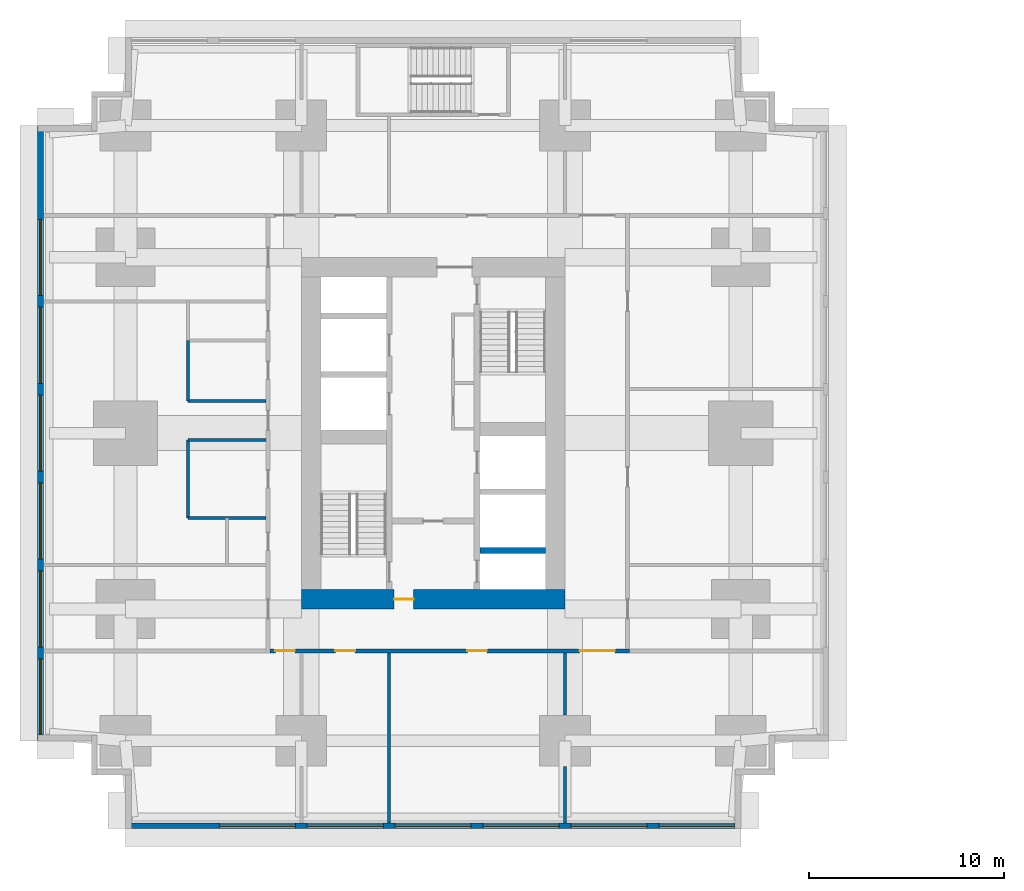
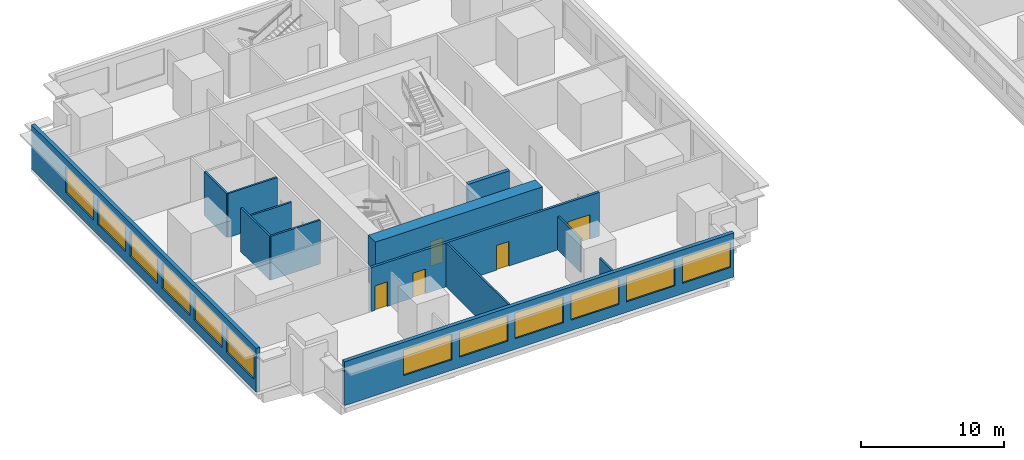
# One storey, part 3 of 12: 13 walls, 12 windows, 5 doors, 17 openings.
"""IFC4 building model written with IfcOpenShell, lengths in metres."""

from ifc_helpers import new_model, si_unit, direction, frame, frame_2d, origin, place, context, subcontext, project, spatial, rectangle, extrude, material, layer, layer_set, type_object, element, fill, save


model = new_model("IFC4")

# Units and contexts
model_context = context("Model", 3, precision=1e-05, world=origin(), true_north=direction((0.0, 1.0)))
body_context = subcontext(model_context, "Body", "Model", "MODEL_VIEW")
ifc_project = project(units=[si_unit("LENGTHUNIT", "METRE"), si_unit("AREAUNIT", "SQUARE_METRE"), si_unit("VOLUMEUNIT", "CUBIC_METRE"), si_unit("PLANEANGLEUNIT", "RADIAN"), si_unit("MASSUNIT", "GRAM", prefix="KILO")], contexts=[model_context])

# Site, building, storey
site_placement = place(None, origin())
site = spatial("IfcSite", under=ifc_project, at=site_placement, CompositionType="ELEMENT")
building_placement = place(site_placement, origin())
building = spatial("IfcBuilding", under=site, at=building_placement, Name="Namib Vertical Campus", CompositionType="ELEMENT")
storey_placement = place(building_placement, frame((0.0, 0.0, 45.0)))
storey = spatial("IfcBuildingStorey", under=building, at=storey_placement, Name="L10", CompositionType="ELEMENT", Elevation=45.0)

# Wall
ifc_material_1 = material(Name="Concrete C60/75", Category="concrete")
ifc_layer_1 = layer(ifc_material_1, 0.300048828125)
ifc_layer_set_1 = layer_set([ifc_layer_1], Name="Concrete C60/75")
wall_type_1 = type_object("IfcWallType", Name="Core inner wall 300", PredefinedType="SHEAR", material=ifc_layer_set_1)
wall_1_placement = place(storey_placement, frame((22.64990234375, 14.25, 0.0), z_axis=(0.0, 0.0, 1.0), x_axis=(1.0, 0.0, 0.0)))
element("IfcWall", 1, at=wall_1_placement, inside=storey, type_object=wall_type_1, Name="Core inner wall A L10 W5", PredefinedType="SHEAR", context=body_context, shape_type="SweptSolid", body=[
    extrude(rectangle(XDim=3.35009765625, YDim=0.300048828125, at=frame_2d((1.675048828125, 0.0))), origin(), (0.0, 0.0, 1.0), 4.0),
])

# Wall, opening, door
ifc_material_2 = material(Name="Concrete C60/75", Category="concrete")
ifc_layer_2 = layer(ifc_material_2, 1.0)
ifc_layer_set_2 = layer_set([ifc_layer_2], Name="Concrete C60/75")
wall_type_2 = type_object("IfcWallType", Name="Core wall 1000", PredefinedType="SHEAR", material=ifc_layer_set_2)
wall_2_placement = place(storey_placement, frame((13.5, 11.75, 0.0), z_axis=(0.0, 0.0, 1.0), x_axis=(1.0, 0.0, 0.0)))
wall_2 = element("IfcWall", 2, at=wall_2_placement, inside=storey, type_object=wall_type_2, Name="Core wall A L10 1", PredefinedType="SHEAR", context=body_context, shape_type="SweptSolid", body=[
    extrude(rectangle(XDim=13.5, YDim=1.0, at=frame_2d((6.75, 0.0))), origin(), (0.0, 0.0, 1.0), 4.0),
])
opening_1_placement = place(wall_2_placement, frame((4.75, 0.0, 0.0)))
opening_1 = element("IfcOpeningElement", 3, at=opening_1_placement, cuts=wall_2, Name="Opening FD5", PredefinedType="OPENING", context=body_context, shape_type="SweptSolid", body=[
    extrude(rectangle(XDim=1.0, YDim=2.10009765625, at=frame_2d((0.5, 1.050048828125))), frame((0.0, 0.510009765625, 0.0), z_axis=(0.0, -1.0, 0.0), x_axis=(1.0, 0.0, 0.0)), (0.0, 0.0, 1.0), 1.02001953125),
])
ifc_material_3 = material(Name="Steel fire door", Category="steel")
door_type_1 = type_object("IfcDoorType", Name="Fire door 1000x2100 120 min", OperationType="SINGLE_SWING_RIGHT", PredefinedType="DOOR", material=ifc_material_3)
door_1_placement = place(opening_1_placement, origin())
door_1 = element("IfcDoor", 4, at=door_1_placement, inside=storey, type_object=door_type_1, Name="Firefighting lobby door FD5 A L10", OperationType="SINGLE_SWING_LEFT", OverallHeight=2.10009765625, OverallWidth=1.0, PredefinedType="DOOR", context=body_context, shape_type="SweptSolid", body=[
    extrude(rectangle(XDim=1.0, YDim=2.10009765625, at=frame_2d((0.5, 1.050048828125))), frame((0.0, 0.02490234375, 0.0), z_axis=(0.0, -1.0, 0.0), x_axis=(1.0, 0.0, 0.0)), (0.0, 0.0, 1.0), 0.050048828125),
])
fill(opening_1, door_1)

# Wall, openings, doors
ifc_material_4 = material(Name="Concrete masonry", Category="masonry")
ifc_layer_3 = layer(ifc_material_4, 0.199951171875)
ifc_layer_set_3 = layer_set([ifc_layer_3], Name="Corridor wall 200")
wall_type_3 = type_object("IfcWallType", Name="Corridor wall 200", PredefinedType="SOLIDWALL", material=ifc_layer_set_3)
wall_3_placement = place(storey_placement, frame((11.89990234375, 9.10009765625, 0.0), z_axis=(0.0, 0.0, 1.0), x_axis=(1.0, 0.0, 0.0)))
wall_3 = element("IfcWall", 5, at=wall_3_placement, inside=storey, type_object=wall_type_3, Name="Corridor wall A L10 CS", PredefinedType="SOLIDWALL", context=body_context, shape_type="SweptSolid", body=[
    extrude(rectangle(XDim=18.400146484375, YDim=0.199951171875, at=frame_2d((9.2001953125, 0.0))), origin(), (0.0, 0.0, 1.0), 3.75),
])
opening_2_placement = place(wall_3_placement, frame((0.27490234375, 0.0, 0.0)))
opening_2 = element("IfcOpeningElement", 6, at=opening_2_placement, cuts=wall_3, Name="Opening CD1", PredefinedType="OPENING", context=body_context, shape_type="SweptSolid", body=[
    extrude(rectangle(XDim=1.0, YDim=2.10009765625, at=frame_2d((0.5, 1.050048828125))), frame((0.0, 0.10986328125, 0.0), z_axis=(0.0, -1.0, 0.0), x_axis=(1.0, 0.0, 0.0)), (0.0, 0.0, 1.0), 0.219970703125),
])
opening_3_placement = place(wall_3_placement, frame((3.35009765625, 0.0, 0.0)))
opening_3 = element("IfcOpeningElement", 7, at=opening_3_placement, cuts=wall_3, Name="Opening CD1", PredefinedType="OPENING", context=body_context, shape_type="SweptSolid", body=[
    extrude(rectangle(XDim=1.0, YDim=2.10009765625, at=frame_2d((0.5, 1.050048828125))), frame((0.0, 0.10986328125, 0.0), z_axis=(0.0, -1.0, 0.0), x_axis=(1.0, 0.0, 0.0)), (0.0, 0.0, 1.0), 0.219970703125),
])
opening_4_placement = place(wall_3_placement, frame((10.10009765625, 0.0, 0.0)))
opening_4 = element("IfcOpeningElement", 8, at=opening_4_placement, cuts=wall_3, Name="Opening CD1", PredefinedType="OPENING", context=body_context, shape_type="SweptSolid", body=[
    extrude(rectangle(XDim=1.0, YDim=2.10009765625, at=frame_2d((0.5, 1.050048828125))), frame((0.0, 0.10986328125, 0.0), z_axis=(0.0, -1.0, 0.0), x_axis=(1.0, 0.0, 0.0)), (0.0, 0.0, 1.0), 0.219970703125),
])
opening_5_placement = place(wall_3_placement, frame((15.85009765625, 0.0, 0.0)))
opening_5 = element("IfcOpeningElement", 9, at=opening_5_placement, cuts=wall_3, Name="Opening CD2", PredefinedType="OPENING", context=body_context, shape_type="SweptSolid", body=[
    extrude(rectangle(XDim=1.800048828125, YDim=2.10009765625, at=frame_2d((0.89990234375, 1.050048828125))), frame((0.0, 0.10986328125, 0.0), z_axis=(0.0, -1.0, 0.0), x_axis=(1.0, 0.0, 0.0)), (0.0, 0.0, 1.0), 0.219970703125),
])
ifc_material_5 = material(Name="Timber fire door leaf", Category="wood")
door_type_2 = type_object("IfcDoorType", Name="Corridor door 1000x2100 20 min", OperationType="SINGLE_SWING_LEFT", PredefinedType="DOOR", material=ifc_material_5)
door_2_placement = place(opening_2_placement, frame((1.0, 0.0, 0.0), z_axis=(0.0, 0.0, 1.0), x_axis=(-1.0, 0.0, 0.0)))
door_2 = element("IfcDoor", 10, at=door_2_placement, inside=storey, type_object=door_type_2, Name="Door CD1 A10-01", OperationType="SINGLE_SWING_LEFT", OverallHeight=2.10009765625, OverallWidth=1.0, PredefinedType="DOOR", context=body_context, shape_type="SweptSolid", body=[
    extrude(rectangle(XDim=1.0, YDim=2.10009765625, at=frame_2d((0.5, 1.050048828125))), frame((0.0, 0.02490234375, 0.0), z_axis=(0.0, -1.0, 0.0), x_axis=(1.0, 0.0, 0.0)), (0.0, 0.0, 1.0), 0.050048828125),
])
fill(opening_2, door_2)
door_3_placement = place(opening_3_placement, frame((1.0, 0.0, 0.0), z_axis=(0.0, 0.0, 1.0), x_axis=(-1.0, 0.0, 0.0)))
door_3 = element("IfcDoor", 11, at=door_3_placement, inside=storey, type_object=door_type_2, Name="Door CD1 A10-02", OperationType="SINGLE_SWING_RIGHT", OverallHeight=2.10009765625, OverallWidth=1.0, PredefinedType="DOOR", context=body_context, shape_type="SweptSolid", body=[
    extrude(rectangle(XDim=1.0, YDim=2.10009765625, at=frame_2d((0.5, 1.050048828125))), frame((0.0, 0.02490234375, 0.0), z_axis=(0.0, -1.0, 0.0), x_axis=(1.0, 0.0, 0.0)), (0.0, 0.0, 1.0), 0.050048828125),
])
fill(opening_3, door_3)
door_4_placement = place(opening_4_placement, frame((1.0, 0.0, 0.0), z_axis=(0.0, 0.0, 1.0), x_axis=(-1.0, 0.0, 0.0)))
door_4 = element("IfcDoor", 12, at=door_4_placement, inside=storey, type_object=door_type_2, Name="Door CD1 A10-03", OperationType="SINGLE_SWING_RIGHT", OverallHeight=2.10009765625, OverallWidth=1.0, PredefinedType="DOOR", context=body_context, shape_type="SweptSolid", body=[
    extrude(rectangle(XDim=1.0, YDim=2.10009765625, at=frame_2d((0.5, 1.050048828125))), frame((0.0, 0.02490234375, 0.0), z_axis=(0.0, -1.0, 0.0), x_axis=(1.0, 0.0, 0.0)), (0.0, 0.0, 1.0), 0.050048828125),
])
fill(opening_4, door_4)
ifc_material_6 = material(Name="Timber fire door leaf", Category="wood")
door_type_3 = type_object("IfcDoorType", Name="Corridor door double 1800x2100 20 min", OperationType="DOUBLE_DOOR_SINGLE_SWING", PredefinedType="DOOR", material=ifc_material_6)
door_5_placement = place(opening_5_placement, frame((1.800048828125, 0.0, 0.0), z_axis=(0.0, 0.0, 1.0), x_axis=(-1.0, 0.0, 0.0)))
door_5 = element("IfcDoor", 13, at=door_5_placement, inside=storey, type_object=door_type_3, Name="Door CD2 A10-04", OperationType="DOUBLE_DOOR_SINGLE_SWING", OverallHeight=2.10009765625, OverallWidth=1.800048828125, PredefinedType="DOOR", context=body_context, shape_type="SweptSolid", body=[
    extrude(rectangle(XDim=1.800048828125, YDim=2.10009765625, at=frame_2d((0.89990234375, 1.050048828125))), frame((0.0, 0.02490234375, 0.0), z_axis=(0.0, -1.0, 0.0), x_axis=(1.0, 0.0, 0.0)), (0.0, 0.0, 1.0), 0.050048828125),
])
fill(opening_5, door_5)

# Wall, openings, windows
ifc_material_7 = material(Name="Concrete C40/50", Category="concrete")
ifc_layer_4 = layer(ifc_material_7, 0.300048828125)
ifc_layer_set_4 = layer_set([ifc_layer_4], Name="Concrete C40/50")
wall_type_4 = type_object("IfcWallType", Name="External wall 300 board-marked concrete", PredefinedType="STANDARD", material=ifc_layer_set_4)
wall_4_placement = place(storey_placement, frame((4.52001953125, 0.14990234375, 0.0), z_axis=(0.0, 0.0, 1.0), x_axis=(1.0, 0.0, 0.0)))
wall_4 = element("IfcWall", 14, at=wall_4_placement, inside=storey, type_object=wall_type_4, Name="External wall L10 F01", PredefinedType="STANDARD", context=body_context, shape_type="SweptSolid", body=[
    extrude(rectangle(XDim=31.4599609375, YDim=0.300048828125, at=frame_2d((15.72998046875, 0.0))), origin(), (0.0, 0.0, 1.0), 3.75),
])
opening_6_placement = place(wall_4_placement, frame((4.780029296875, 0.0, 0.89990234375)))
opening_6 = element("IfcOpeningElement", 15, at=opening_6_placement, cuts=wall_4, Name="Opening W1", PredefinedType="OPENING", context=body_context, shape_type="SweptSolid", body=[
    extrude(rectangle(XDim=3.89990234375, YDim=2.199951171875, at=frame_2d((1.949951171875, 1.10009765625))), frame((0.0, 0.159912109375, 0.0), z_axis=(0.0, -1.0, 0.0), x_axis=(1.0, 0.0, 0.0)), (0.0, 0.0, 1.0), 0.320068359375),
])
opening_7_placement = place(wall_4_placement, frame((9.280029296875, 0.0, 0.89990234375)))
opening_7 = element("IfcOpeningElement", 16, at=opening_7_placement, cuts=wall_4, Name="Opening W1", PredefinedType="OPENING", context=body_context, shape_type="SweptSolid", body=[
    extrude(rectangle(XDim=3.89990234375, YDim=2.199951171875, at=frame_2d((1.949951171875, 1.10009765625))), frame((0.0, 0.159912109375, 0.0), z_axis=(0.0, -1.0, 0.0), x_axis=(1.0, 0.0, 0.0)), (0.0, 0.0, 1.0), 0.320068359375),
])
opening_8_placement = place(wall_4_placement, frame((13.780029296875, 0.0, 0.89990234375)))
opening_8 = element("IfcOpeningElement", 17, at=opening_8_placement, cuts=wall_4, Name="Opening W1", PredefinedType="OPENING", context=body_context, shape_type="SweptSolid", body=[
    extrude(rectangle(XDim=3.89990234375, YDim=2.199951171875, at=frame_2d((1.949951171875, 1.10009765625))), frame((0.0, 0.159912109375, 0.0), z_axis=(0.0, -1.0, 0.0), x_axis=(1.0, 0.0, 0.0)), (0.0, 0.0, 1.0), 0.320068359375),
])
opening_9_placement = place(wall_4_placement, frame((18.280029296875, 0.0, 0.89990234375)))
opening_9 = element("IfcOpeningElement", 18, at=opening_9_placement, cuts=wall_4, Name="Opening W1", PredefinedType="OPENING", context=body_context, shape_type="SweptSolid", body=[
    extrude(rectangle(XDim=3.89990234375, YDim=2.199951171875, at=frame_2d((1.949951171875, 1.10009765625))), frame((0.0, 0.159912109375, 0.0), z_axis=(0.0, -1.0, 0.0), x_axis=(1.0, 0.0, 0.0)), (0.0, 0.0, 1.0), 0.320068359375),
])
opening_10_placement = place(wall_4_placement, frame((22.780029296875, 0.0, 0.89990234375)))
opening_10 = element("IfcOpeningElement", 19, at=opening_10_placement, cuts=wall_4, Name="Opening W1", PredefinedType="OPENING", context=body_context, shape_type="SweptSolid", body=[
    extrude(rectangle(XDim=3.89990234375, YDim=2.199951171875, at=frame_2d((1.949951171875, 1.10009765625))), frame((0.0, 0.159912109375, 0.0), z_axis=(0.0, -1.0, 0.0), x_axis=(1.0, 0.0, 0.0)), (0.0, 0.0, 1.0), 0.320068359375),
])
opening_11_placement = place(wall_4_placement, frame((27.280029296875, 0.0, 0.89990234375)))
opening_11 = element("IfcOpeningElement", 20, at=opening_11_placement, cuts=wall_4, Name="Opening W1", PredefinedType="OPENING", context=body_context, shape_type="SweptSolid", body=[
    extrude(rectangle(XDim=3.89990234375, YDim=2.199951171875, at=frame_2d((1.949951171875, 1.10009765625))), frame((0.0, 0.159912109375, 0.0), z_axis=(0.0, -1.0, 0.0), x_axis=(1.0, 0.0, 0.0)), (0.0, 0.0, 1.0), 0.320068359375),
])
ifc_material_8 = material(Name="Dark tinted glass in black aluminium frame", Category="aluminium")
window_type = type_object("IfcWindowType", Name="Ribbon window 3900x2200", PartitioningType="SINGLE_PANEL", PredefinedType="WINDOW", material=ifc_material_8)
window_1_placement = place(opening_6_placement, origin())
window_1 = element("IfcWindow", 21, at=window_1_placement, inside=storey, type_object=window_type, Name="Window W1 L10 F01-2", OverallHeight=2.199951171875, OverallWidth=3.89990234375, PartitioningType="SINGLE_PANEL", PredefinedType="WINDOW", context=body_context, shape_type="SweptSolid", body=[
    extrude(rectangle(XDim=3.89990234375, YDim=2.199951171875, at=frame_2d((1.949951171875, 1.10009765625))), frame((0.0, 0.030029296875, 0.0), z_axis=(0.0, -1.0, 0.0), x_axis=(1.0, 0.0, 0.0)), (0.0, 0.0, 1.0), 0.06005859375),
])
fill(opening_6, window_1)
window_2_placement = place(opening_7_placement, origin())
window_2 = element("IfcWindow", 22, at=window_2_placement, inside=storey, type_object=window_type, Name="Window W1 L10 F01-3", OverallHeight=2.199951171875, OverallWidth=3.89990234375, PartitioningType="SINGLE_PANEL", PredefinedType="WINDOW", context=body_context, shape_type="SweptSolid", body=[
    extrude(rectangle(XDim=3.89990234375, YDim=2.199951171875, at=frame_2d((1.949951171875, 1.10009765625))), frame((0.0, 0.030029296875, 0.0), z_axis=(0.0, -1.0, 0.0), x_axis=(1.0, 0.0, 0.0)), (0.0, 0.0, 1.0), 0.06005859375),
])
fill(opening_7, window_2)
window_3_placement = place(opening_8_placement, origin())
window_3 = element("IfcWindow", 23, at=window_3_placement, inside=storey, type_object=window_type, Name="Window W1 L10 F01-4", OverallHeight=2.199951171875, OverallWidth=3.89990234375, PartitioningType="SINGLE_PANEL", PredefinedType="WINDOW", context=body_context, shape_type="SweptSolid", body=[
    extrude(rectangle(XDim=3.89990234375, YDim=2.199951171875, at=frame_2d((1.949951171875, 1.10009765625))), frame((0.0, 0.030029296875, 0.0), z_axis=(0.0, -1.0, 0.0), x_axis=(1.0, 0.0, 0.0)), (0.0, 0.0, 1.0), 0.06005859375),
])
fill(opening_8, window_3)
window_4_placement = place(opening_9_placement, origin())
window_4 = element("IfcWindow", 24, at=window_4_placement, inside=storey, type_object=window_type, Name="Window W1 L10 F01-5", OverallHeight=2.199951171875, OverallWidth=3.89990234375, PartitioningType="SINGLE_PANEL", PredefinedType="WINDOW", context=body_context, shape_type="SweptSolid", body=[
    extrude(rectangle(XDim=3.89990234375, YDim=2.199951171875, at=frame_2d((1.949951171875, 1.10009765625))), frame((0.0, 0.030029296875, 0.0), z_axis=(0.0, -1.0, 0.0), x_axis=(1.0, 0.0, 0.0)), (0.0, 0.0, 1.0), 0.06005859375),
])
fill(opening_9, window_4)
window_5_placement = place(opening_10_placement, origin())
window_5 = element("IfcWindow", 25, at=window_5_placement, inside=storey, type_object=window_type, Name="Window W1 L10 F01-6", OverallHeight=2.199951171875, OverallWidth=3.89990234375, PartitioningType="SINGLE_PANEL", PredefinedType="WINDOW", context=body_context, shape_type="SweptSolid", body=[
    extrude(rectangle(XDim=3.89990234375, YDim=2.199951171875, at=frame_2d((1.949951171875, 1.10009765625))), frame((0.0, 0.030029296875, 0.0), z_axis=(0.0, -1.0, 0.0), x_axis=(1.0, 0.0, 0.0)), (0.0, 0.0, 1.0), 0.06005859375),
])
fill(opening_10, window_5)
window_6_placement = place(opening_11_placement, origin())
window_6 = element("IfcWindow", 26, at=window_6_placement, inside=storey, type_object=window_type, Name="Window W1 L10 F01-7", OverallHeight=2.199951171875, OverallWidth=3.89990234375, PartitioningType="SINGLE_PANEL", PredefinedType="WINDOW", context=body_context, shape_type="SweptSolid", body=[
    extrude(rectangle(XDim=3.89990234375, YDim=2.199951171875, at=frame_2d((1.949951171875, 1.10009765625))), frame((0.0, 0.030029296875, 0.0), z_axis=(0.0, -1.0, 0.0), x_axis=(1.0, 0.0, 0.0)), (0.0, 0.0, 1.0), 0.06005859375),
])
fill(opening_11, window_6)

wall_5_placement = place(storey_placement, frame((0.14990234375, 35.97998046875, 0.0), z_axis=(0.0, 0.0, 1.0), x_axis=(0.0, -1.0, 0.0)))
wall_5 = element("IfcWall", 27, at=wall_5_placement, inside=storey, type_object=wall_type_4, Name="External wall L10 F16", PredefinedType="STANDARD", context=body_context, shape_type="SweptSolid", body=[
    extrude(rectangle(XDim=31.4599609375, YDim=0.300048828125, at=frame_2d((15.72998046875, 0.0))), origin(), (0.0, 0.0, 1.0), 3.75),
])
opening_12_placement = place(wall_5_placement, frame((27.280029296875, 0.0, 0.89990234375)))
opening_12 = element("IfcOpeningElement", 28, at=opening_12_placement, cuts=wall_5, Name="Opening W1", PredefinedType="OPENING", context=body_context, shape_type="SweptSolid", body=[
    extrude(rectangle(XDim=3.89990234375, YDim=2.199951171875, at=frame_2d((1.949951171875, 1.10009765625))), frame((0.0, 0.159912109375, 0.0), z_axis=(0.0, -1.0, 0.0), x_axis=(1.0, 0.0, 0.0)), (0.0, 0.0, 1.0), 0.320068359375),
])
opening_13_placement = place(wall_5_placement, frame((22.780029296875, 0.0, 0.89990234375)))
opening_13 = element("IfcOpeningElement", 29, at=opening_13_placement, cuts=wall_5, Name="Opening W1", PredefinedType="OPENING", context=body_context, shape_type="SweptSolid", body=[
    extrude(rectangle(XDim=3.89990234375, YDim=2.199951171875, at=frame_2d((1.949951171875, 1.10009765625))), frame((0.0, 0.159912109375, 0.0), z_axis=(0.0, -1.0, 0.0), x_axis=(1.0, 0.0, 0.0)), (0.0, 0.0, 1.0), 0.320068359375),
])
opening_14_placement = place(wall_5_placement, frame((18.280029296875, 0.0, 0.89990234375)))
opening_14 = element("IfcOpeningElement", 30, at=opening_14_placement, cuts=wall_5, Name="Opening W1", PredefinedType="OPENING", context=body_context, shape_type="SweptSolid", body=[
    extrude(rectangle(XDim=3.89990234375, YDim=2.199951171875, at=frame_2d((1.949951171875, 1.10009765625))), frame((0.0, 0.159912109375, 0.0), z_axis=(0.0, -1.0, 0.0), x_axis=(1.0, 0.0, 0.0)), (0.0, 0.0, 1.0), 0.320068359375),
])
opening_15_placement = place(wall_5_placement, frame((13.780029296875, 0.0, 0.89990234375)))
opening_15 = element("IfcOpeningElement", 31, at=opening_15_placement, cuts=wall_5, Name="Opening W1", PredefinedType="OPENING", context=body_context, shape_type="SweptSolid", body=[
    extrude(rectangle(XDim=3.89990234375, YDim=2.199951171875, at=frame_2d((1.949951171875, 1.10009765625))), frame((0.0, 0.159912109375, 0.0), z_axis=(0.0, -1.0, 0.0), x_axis=(1.0, 0.0, 0.0)), (0.0, 0.0, 1.0), 0.320068359375),
])
opening_16_placement = place(wall_5_placement, frame((9.280029296875, 0.0, 0.89990234375)))
opening_16 = element("IfcOpeningElement", 32, at=opening_16_placement, cuts=wall_5, Name="Opening W1", PredefinedType="OPENING", context=body_context, shape_type="SweptSolid", body=[
    extrude(rectangle(XDim=3.89990234375, YDim=2.199951171875, at=frame_2d((1.949951171875, 1.10009765625))), frame((0.0, 0.159912109375, 0.0), z_axis=(0.0, -1.0, 0.0), x_axis=(1.0, 0.0, 0.0)), (0.0, 0.0, 1.0), 0.320068359375),
])
opening_17_placement = place(wall_5_placement, frame((4.780029296875, 0.0, 0.89990234375)))
opening_17 = element("IfcOpeningElement", 33, at=opening_17_placement, cuts=wall_5, Name="Opening W1", PredefinedType="OPENING", context=body_context, shape_type="SweptSolid", body=[
    extrude(rectangle(XDim=3.89990234375, YDim=2.199951171875, at=frame_2d((1.949951171875, 1.10009765625))), frame((0.0, 0.159912109375, 0.0), z_axis=(0.0, -1.0, 0.0), x_axis=(1.0, 0.0, 0.0)), (0.0, 0.0, 1.0), 0.320068359375),
])
window_7_placement = place(opening_12_placement, origin())
window_7 = element("IfcWindow", 34, at=window_7_placement, inside=storey, type_object=window_type, Name="Window W1 L10 F16-1", OverallHeight=2.199951171875, OverallWidth=3.89990234375, PartitioningType="SINGLE_PANEL", PredefinedType="WINDOW", context=body_context, shape_type="SweptSolid", body=[
    extrude(rectangle(XDim=3.89990234375, YDim=2.199951171875, at=frame_2d((1.949951171875, 1.10009765625))), frame((0.0, 0.030029296875, 0.0), z_axis=(0.0, -1.0, 0.0), x_axis=(1.0, 0.0, 0.0)), (0.0, 0.0, 1.0), 0.06005859375),
])
fill(opening_12, window_7)
window_8_placement = place(opening_13_placement, origin())
window_8 = element("IfcWindow", 35, at=window_8_placement, inside=storey, type_object=window_type, Name="Window W1 L10 F16-2", OverallHeight=2.199951171875, OverallWidth=3.89990234375, PartitioningType="SINGLE_PANEL", PredefinedType="WINDOW", context=body_context, shape_type="SweptSolid", body=[
    extrude(rectangle(XDim=3.89990234375, YDim=2.199951171875, at=frame_2d((1.949951171875, 1.10009765625))), frame((0.0, 0.030029296875, 0.0), z_axis=(0.0, -1.0, 0.0), x_axis=(1.0, 0.0, 0.0)), (0.0, 0.0, 1.0), 0.06005859375),
])
fill(opening_13, window_8)
window_9_placement = place(opening_14_placement, origin())
window_9 = element("IfcWindow", 36, at=window_9_placement, inside=storey, type_object=window_type, Name="Window W1 L10 F16-3", OverallHeight=2.199951171875, OverallWidth=3.89990234375, PartitioningType="SINGLE_PANEL", PredefinedType="WINDOW", context=body_context, shape_type="SweptSolid", body=[
    extrude(rectangle(XDim=3.89990234375, YDim=2.199951171875, at=frame_2d((1.949951171875, 1.10009765625))), frame((0.0, 0.030029296875, 0.0), z_axis=(0.0, -1.0, 0.0), x_axis=(1.0, 0.0, 0.0)), (0.0, 0.0, 1.0), 0.06005859375),
])
fill(opening_14, window_9)
window_10_placement = place(opening_15_placement, origin())
window_10 = element("IfcWindow", 37, at=window_10_placement, inside=storey, type_object=window_type, Name="Window W1 L10 F16-4", OverallHeight=2.199951171875, OverallWidth=3.89990234375, PartitioningType="SINGLE_PANEL", PredefinedType="WINDOW", context=body_context, shape_type="SweptSolid", body=[
    extrude(rectangle(XDim=3.89990234375, YDim=2.199951171875, at=frame_2d((1.949951171875, 1.10009765625))), frame((0.0, 0.030029296875, 0.0), z_axis=(0.0, -1.0, 0.0), x_axis=(1.0, 0.0, 0.0)), (0.0, 0.0, 1.0), 0.06005859375),
])
fill(opening_15, window_10)
window_11_placement = place(opening_16_placement, origin())
window_11 = element("IfcWindow", 38, at=window_11_placement, inside=storey, type_object=window_type, Name="Window W1 L10 F16-5", OverallHeight=2.199951171875, OverallWidth=3.89990234375, PartitioningType="SINGLE_PANEL", PredefinedType="WINDOW", context=body_context, shape_type="SweptSolid", body=[
    extrude(rectangle(XDim=3.89990234375, YDim=2.199951171875, at=frame_2d((1.949951171875, 1.10009765625))), frame((0.0, 0.030029296875, 0.0), z_axis=(0.0, -1.0, 0.0), x_axis=(1.0, 0.0, 0.0)), (0.0, 0.0, 1.0), 0.06005859375),
])
fill(opening_16, window_11)
window_12_placement = place(opening_17_placement, origin())
window_12 = element("IfcWindow", 39, at=window_12_placement, inside=storey, type_object=window_type, Name="Window W1 L10 F16-6", OverallHeight=2.199951171875, OverallWidth=3.89990234375, PartitioningType="SINGLE_PANEL", PredefinedType="WINDOW", context=body_context, shape_type="SweptSolid", body=[
    extrude(rectangle(XDim=3.89990234375, YDim=2.199951171875, at=frame_2d((1.949951171875, 1.10009765625))), frame((0.0, 0.030029296875, 0.0), z_axis=(0.0, -1.0, 0.0), x_axis=(1.0, 0.0, 0.0)), (0.0, 0.0, 1.0), 0.06005859375),
])
fill(opening_17, window_12)

# Walls
ifc_material_9 = material(Name="Gypsum board on steel studs", Category="steel")
ifc_layer_5 = layer(ifc_material_9, 0.14990234375)
ifc_layer_set_5 = layer_set([ifc_layer_5], Name="Gypsum board on steel studs")
wall_type_5 = type_object("IfcWallType", Name="Partition 150", PredefinedType="PARTITIONING", material=ifc_layer_set_5)
wall_6_placement = place(storey_placement, frame((18.0, 0.300048828125, 0.0), z_axis=(0.0, 0.0, 1.0), x_axis=(0.0, 1.0, 0.0)))
element("IfcWall", 40, at=wall_6_placement, inside=storey, type_object=wall_type_5, Name="Partition A L10 PS2", PredefinedType="PARTITIONING", context=body_context, shape_type="SweptSolid", body=[
    extrude(rectangle(XDim=8.699951171875, YDim=0.14990234375, at=frame_2d((4.35009765625, 0.0))), origin(), (0.0, 0.0, 1.0), 3.75),
])
wall_7_placement = place(storey_placement, frame((27.0, 0.300048828125, 0.0), z_axis=(0.0, 0.0, 1.0), x_axis=(0.0, 1.0, 0.0)))
element("IfcWall", 41, at=wall_7_placement, inside=storey, type_object=wall_type_5, Name="Partition A L10 PS3", PredefinedType="PARTITIONING", context=body_context, shape_type="SweptSolid", body=[
    extrude(rectangle(XDim=2.8798828125, YDim=0.14990234375, at=frame_2d((1.43994140625, 0.0))), origin(), (0.0, 0.0, 1.0), 2.85009765625),
])
wall_8_placement = place(storey_placement, frame((27.0, 5.820068359375, 0.0), z_axis=(0.0, 0.0, 1.0), x_axis=(0.0, 1.0, 0.0)))
element("IfcWall", 42, at=wall_8_placement, inside=storey, type_object=wall_type_5, Name="Partition A L10 PS3", PredefinedType="PARTITIONING", context=body_context, shape_type="SweptSolid", body=[
    extrude(rectangle(XDim=3.179931640625, YDim=0.14990234375, at=frame_2d((1.58984375, 0.0))), origin(), (0.0, 0.0, 1.0), 2.85009765625),
])
wall_9_placement = place(storey_placement, frame((11.699951171875, 15.89990234375, 0.0), z_axis=(0.0, 0.0, 1.0), x_axis=(-1.0, 0.0, 0.0)))
element("IfcWall", 43, at=wall_9_placement, inside=storey, type_object=wall_type_5, Name="Partition A L10 WR1", PredefinedType="PARTITIONING", context=body_context, shape_type="SweptSolid", body=[
    extrude(rectangle(XDim=4.0, YDim=0.14990234375, at=frame_2d((2.0, 0.0))), origin(), (0.0, 0.0, 1.0), 3.75),
])
wall_10_placement = place(storey_placement, frame((11.699951171875, 19.89990234375, 0.0), z_axis=(0.0, 0.0, 1.0), x_axis=(-1.0, 0.0, 0.0)))
element("IfcWall", 44, at=wall_10_placement, inside=storey, type_object=wall_type_5, Name="Partition A L10 WR2", PredefinedType="PARTITIONING", context=body_context, shape_type="SweptSolid", body=[
    extrude(rectangle(XDim=4.0, YDim=0.14990234375, at=frame_2d((2.0, 0.0))), origin(), (0.0, 0.0, 1.0), 2.85009765625),
])
for number, where, z_axis, x_axis, name in (
    (45, (11.699951171875, 21.89990234375, 0.0), (0.0, 0.0, 1.0), (-1.0, 0.0, 0.0), "Partition A L10 WR3"),
    (46, (7.699951171875, 15.89990234375, 0.0), (0.0, 0.0, 1.0), (0.0, 1.0, 0.0), "Partition A L10 WB2"),
):
    element("IfcWall", number, at=place(storey_placement, frame(where, z_axis=z_axis, x_axis=x_axis)), inside=storey, type_object=wall_type_5, Name=name, PredefinedType="PARTITIONING", context=body_context, shape_type="SweptSolid", body=[
        extrude(rectangle(XDim=4.0, YDim=0.14990234375, at=frame_2d((2.0, 0.0))), origin(), (0.0, 0.0, 1.0), 3.75),
    ])
wall_11_placement = place(storey_placement, frame((7.699951171875, 21.89990234375, 0.0), z_axis=(0.0, 0.0, 1.0), x_axis=(0.0, 1.0, 0.0)))
element("IfcWall", 47, at=wall_11_placement, inside=storey, type_object=wall_type_5, Name="Partition A L10 WB3", PredefinedType="PARTITIONING", context=body_context, shape_type="SweptSolid", body=[
    extrude(rectangle(XDim=3.10009765625, YDim=0.14990234375, at=frame_2d((1.550048828125, 0.0))), origin(), (0.0, 0.0, 1.0), 3.75),
])

save(model, "model.ifc")
